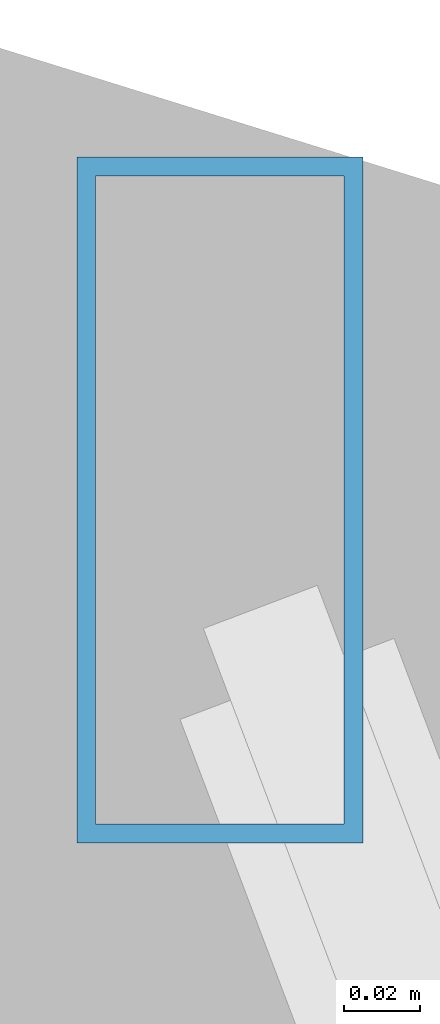
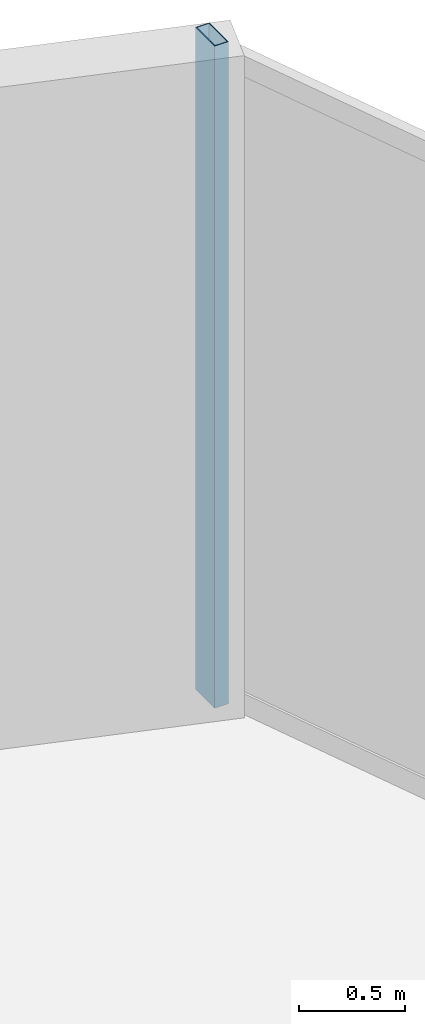
# One storey, part 22 of 29: 1 member, 1 element without a shape of its own.
"""IFC4 building model written with IfcOpenShell, lengths in metres."""

from ifc_helpers import new_model, si_unit, direction, frame, origin, origin_2d, place, context, subcontext, project, spatial, hollow_rectangle, extrude, material, layer, layer_set, material_profile, profile_set, type_object, element, aggregate, save


model = new_model("IFC4")

# Units and contexts
model_context = context("Model", 3, precision=1e-05, world=origin(), true_north=direction((0.0, 1.0)))
body_context = subcontext(model_context, "Body", "Model", "MODEL_VIEW")
ifc_project = project(units=[si_unit("LENGTHUNIT", "METRE"), si_unit("AREAUNIT", "SQUARE_METRE"), si_unit("VOLUMEUNIT", "CUBIC_METRE"), si_unit("PLANEANGLEUNIT", "RADIAN"), si_unit("MASSUNIT", "GRAM", prefix="KILO")], contexts=[model_context])

# Site, building, storey
site_placement = place(None, origin())
site = spatial("IfcSite", under=ifc_project, at=site_placement, CompositionType="ELEMENT")
building_placement = place(site_placement, origin())
building = spatial("IfcBuilding", under=site, at=building_placement, Name="Veymaron Broadcast Tower", CompositionType="ELEMENT")
storey_placement = place(building_placement, frame((0.0, 0.0, 41.85009765625)))
storey = spatial("IfcBuildingStorey", under=building, at=storey_placement, Name="L08", CompositionType="ELEMENT", Elevation=41.85009765625)

# Curtain wall, member
ifc_material_1 = material(Name="Anodised aluminium AA 6063-T6 and laminated low-E dark glass", Category="aluminium")
ifc_layer = layer(ifc_material_1, 0.179931640625)
ifc_layer_set = layer_set([ifc_layer], Name="Anodised aluminium AA 6063-T6 and laminated low-E dark glass")
curtain_wall_type = type_object("IfcCurtainWallType", Name="CW-SYS-02", PredefinedType="NOTDEFINED", material=ifc_layer_set)
curtain_wall_placement = place(storey_placement, origin())
curtain_wall = element("IfcCurtainWall", 1, at=curtain_wall_placement, inside=storey, type_object=curtain_wall_type, Name="L08 dark-glass curtain wall CW-L08-E5-1", PredefinedType="NOTDEFINED")
ifc_material_2 = material(Name="Anodised aluminium AA 6063-T6", Category="aluminium")
ifc_material_profile = material_profile(ifc_material_2, hollow_rectangle(XDim=0.074951171875, YDim=0.179931640625, WallThickness=0.0048828125, at=origin_2d()), Name="AL180X75X5")
ifc_profile_set = profile_set([ifc_material_profile], Name="Anodised aluminium AA 6063-T6")
member_type = type_object("IfcMemberType", Name="CW-MUL-02", PredefinedType="MULLION", material=ifc_profile_set)
member_placement = place(storey_placement, frame((41.663818359375, 44.364501953125, 0.0), z_axis=(0.0, 0.0, 1.0), x_axis=(1.0, 0.0, 0.0)))
member = element("IfcMember", 2, at=member_placement, type_object=member_type, Name="CW-L08-E5-1 mullion 2", PredefinedType="MULLION", context=body_context, shape_type="SweptSolid", body=[
    extrude(hollow_rectangle(XDim=0.074951171875, YDim=0.179931640625, WallThickness=0.0048828125, at=origin_2d()), origin(), (0.0, 0.0, 1.0), 3.809814453125),
])
aggregate(curtain_wall, [member])

save(model, "model.ifc")
